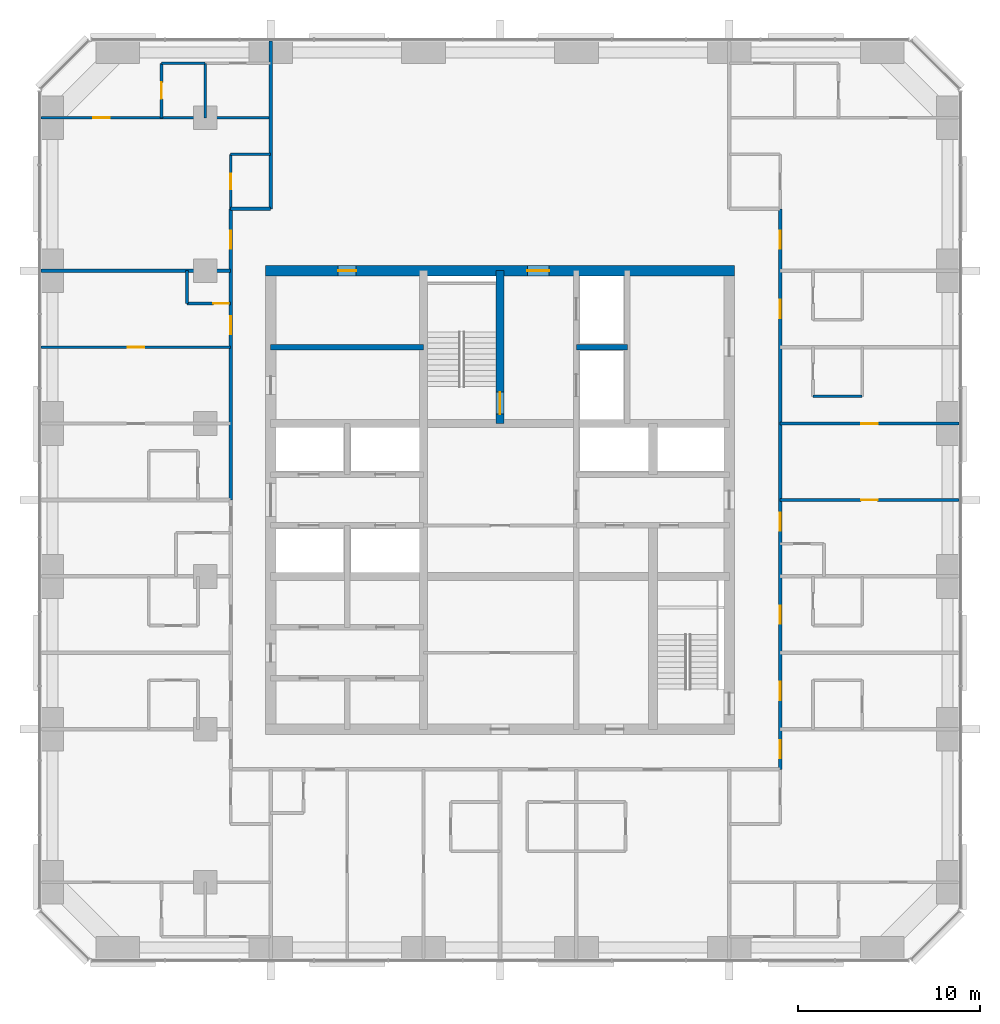
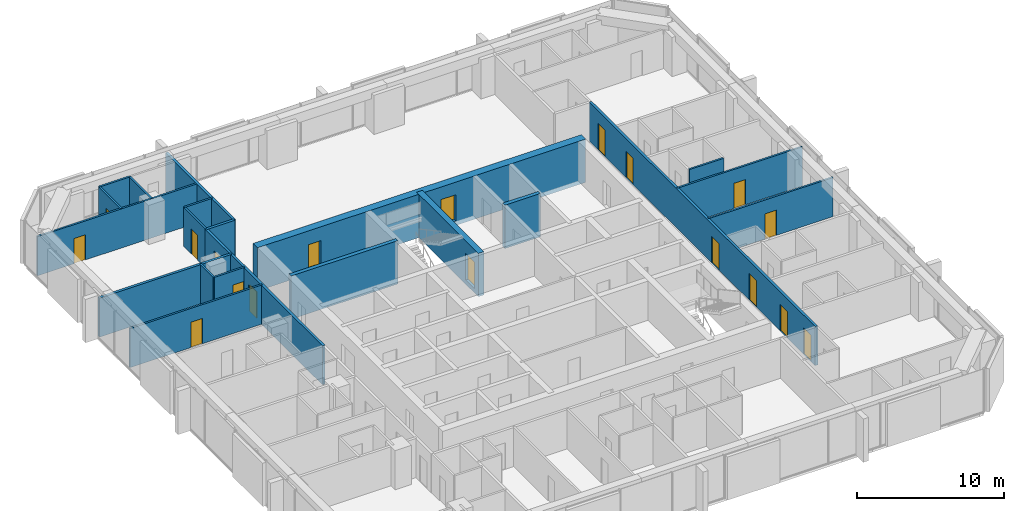
# One storey, part 11 of 13: 21 walls, 18 doors, 18 openings.
"""IFC4 building model written with IfcOpenShell, lengths in metres."""

import ifcopenshell
import ifcopenshell.guid

model = None  # the IFC model being written
_history = None  # IfcOwnerHistory: only IFC2X3 demands one
_inside = {}  # id of a spatial element -> (the spatial element, [elements in it])
_under = {}  # id of a project, library or spatial element -> (it, [spatial elements below it])
_declared = {}  # id of a project -> (the project, [libraries it declares])
_typed = {}  # id of a type object -> (the type object, [elements of that type])
_made_of = {}  # id of a material, layer set ... -> (it, [elements and type objects made of it])


def new_model(schema):
    """Start an empty IFC model of exactly this schema.

    Asked for "IFC4X3", IfcOpenShell would pick the latest addendum, in which some entities
    have other attributes; the version numbers below select the first issue.
    IFC2X3 requires an IfcOwnerHistory on every rooted entity: one is made here for all.
    """
    global model, _history
    if schema == "IFC4X3":
        model = ifcopenshell.file(schema_version=(4, 3, 0, 0))
    else:
        model = ifcopenshell.file(schema=schema)
    _inside.clear()
    _under.clear()
    _declared.clear()
    _typed.clear()
    _made_of.clear()
    _history = None
    if model.schema == "IFC2X3":
        org = make("IfcOrganization", Name="unknown")
        user = make(
            "IfcPersonAndOrganization",
            ThePerson=make("IfcPerson", FamilyName="unknown"),
            TheOrganization=org,
        )
        app = make(
            "IfcApplication",
            ApplicationDeveloper=org,
            Version="unknown",
            ApplicationFullName="unknown",
            ApplicationIdentifier="unknown",
        )
        _history = make(
            "IfcOwnerHistory",
            OwningUser=user,
            OwningApplication=app,
            ChangeAction="ADDED",
            CreationDate=0,
        )
    return model


def make(cls, **values):
    """One entity of the class cls with the attributes given. An attribute that is None is left unset."""
    return model.create_entity(
        cls, **{name: value for name, value in values.items() if value is not None}
    )


def rooted(cls, **values):
    """An entity with a GlobalId (a new one), such as an element, a storey or a relation."""
    return make(cls, GlobalId=ifcopenshell.guid.new(), OwnerHistory=_history, **values)


def si_unit(unit_type, name, prefix=None):
    """IfcSIUnit, for example si_unit("LENGTHUNIT", "METRE", prefix="MILLI")."""
    return make("IfcSIUnit", UnitType=unit_type, Prefix=prefix, Name=name)


def assignment(units):
    """IfcUnitAssignment: the units of a project."""
    return None if units is None else make("IfcUnitAssignment", Units=units)


def point(xyz):
    """IfcCartesianPoint."""
    return None if xyz is None else make("IfcCartesianPoint", Coordinates=xyz)


def direction(xyz):
    """IfcDirection."""
    return None if xyz is None else make("IfcDirection", DirectionRatios=xyz)


def frame(location, z_axis=None, x_axis=None):
    """IfcAxis2Placement3D, a coordinate frame: its origin and axes. An axis left out is left unset."""
    return make(
        "IfcAxis2Placement3D",
        Location=point(location),
        Axis=direction(z_axis),
        RefDirection=direction(x_axis),
    )


def frame_2d(location, x_axis=None):
    """IfcAxis2Placement2D, a coordinate frame in the plane: its origin and x axis."""
    return make(
        "IfcAxis2Placement2D", Location=point(location), RefDirection=direction(x_axis)
    )


def origin():
    """The frame at (0, 0, 0) with its axes left unset."""
    return frame((0.0, 0.0, 0.0))


def place(relative_to, where):
    """IfcLocalPlacement: puts the frame where relative to a parent placement (None: the world)."""
    return make(
        "IfcLocalPlacement", PlacementRelTo=relative_to, RelativePlacement=where
    )


def context(
    kind, dimensions, precision=None, world=None, true_north=None, identifier=None
):
    """IfcGeometricRepresentationContext, for example the 3D "Model" context."""
    return make(
        "IfcGeometricRepresentationContext",
        ContextIdentifier=identifier,
        ContextType=kind,
        CoordinateSpaceDimension=dimensions,
        Precision=precision,
        WorldCoordinateSystem=world,
        TrueNorth=true_north,
    )


def subcontext(parent, identifier, kind, view, scale=None):
    """IfcGeometricRepresentationSubContext, for example "Body" below "Model"."""
    return make(
        "IfcGeometricRepresentationSubContext",
        ContextIdentifier=identifier,
        ContextType=kind,
        ParentContext=parent,
        TargetScale=scale,
        TargetView=view,
    )


def project(units=None, contexts=None):
    """IfcProject with its units and contexts."""
    return rooted(
        "IfcProject",
        Name="project",
        RepresentationContexts=contexts,
        UnitsInContext=assignment(units),
    )


def spatial(cls, under=None, at=None, **own):
    """A site, building, storey or space (cls), placed at a placement, below another one or the project."""
    s = rooted(cls, ObjectPlacement=at, **own)
    if under is not None:
        _under.setdefault(under.id(), (under, []))[1].append(s)
    return s


def profile(cls, at=None, kind="AREA", **sizes):
    """A parametric profile (cls). Its sizes go by their IFC names, for example OverallWidth=200.0."""
    return make(cls, ProfileType=kind, Position=at, **sizes)


def rectangle(**sizes):
    """IfcRectangleProfileDef."""
    return profile("IfcRectangleProfileDef", **sizes)


def extrude(swept, where, along, depth):
    """IfcExtrudedAreaSolid: the profile swept, set in the frame where, extruded along a direction by depth."""
    return make(
        "IfcExtrudedAreaSolid",
        SweptArea=swept,
        Position=where,
        ExtrudedDirection=direction(along),
        Depth=depth,
    )


def shape(context_of_items, identifier, shape_type, items):
    """IfcShapeRepresentation: the items that make up one representation, for example the "Body"."""
    return make(
        "IfcShapeRepresentation",
        ContextOfItems=context_of_items,
        RepresentationIdentifier=identifier,
        RepresentationType=shape_type,
        Items=items,
    )


def material(Name=None, Category=None):
    """IfcMaterial."""
    return make("IfcMaterial", Name=Name, Category=Category)


def layer(
    of_material, thickness, ventilated=None, Name=None, Category=None, Priority=None
):
    """IfcMaterialLayer: one layer of a wall or slab, of a material (None: an air gap)."""
    return make(
        "IfcMaterialLayer",
        Material=of_material,
        LayerThickness=thickness,
        IsVentilated=ventilated,
        Name=Name,
        Category=Category,
        Priority=Priority,
    )


def layer_set(layers, Name=None):
    """IfcMaterialLayerSet."""
    return make("IfcMaterialLayerSet", MaterialLayers=layers, LayerSetName=Name)


def made_of(thing, what):
    """Note that an element or type object is made of a material, layer set ...; save() writes the relation."""
    if what is not None:
        _made_of.setdefault(what.id(), (what, []))[1].append(thing)
    return thing


def type_object(cls, material=None, **own):
    """A type object (cls), such as IfcWallType, which elements share."""
    return made_of(rooted(cls, **own), material)


def element(
    cls,
    number,
    at=None,
    inside=None,
    cuts=None,
    type_object=None,
    material=None,
    context=None,
    identifier="Body",
    shape_type=None,
    held_by="IfcProductDefinitionShape",
    body=None,
    shapes=None,
    **own,
):
    """One element of the class cls, such as IfcWall. Its Tag is "e" and its number.

    at: its placement. inside: the storey or other place that contains it. cuts: it is an
    opening in that element (IfcRelVoidsElement). A single representation is given by context,
    identifier, shape_type and body (its items); several are given by shapes. held_by: the class
    of the entity that holds the representations. save() writes the other relations.
    """
    e = rooted(cls, Tag="e%d" % number, ObjectPlacement=at, **own)
    if body is not None:
        shapes = [shape(context, identifier, shape_type, body)]
    if shapes is not None:
        e.Representation = make(held_by, Representations=shapes)
    if inside is not None:
        _inside.setdefault(inside.id(), (inside, []))[1].append(e)
    if cuts is not None:
        rooted(
            "IfcRelVoidsElement", RelatingBuildingElement=cuts, RelatedOpeningElement=e
        )
    if type_object is not None:
        _typed.setdefault(type_object.id(), (type_object, []))[1].append(e)
    return made_of(e, material)


def fill(opening, filler):
    """IfcRelFillsElement: the door or window that sits in an opening."""
    return rooted(
        "IfcRelFillsElement",
        RelatingOpeningElement=opening,
        RelatedBuildingElement=filler,
    )


def aggregate(whole, parts):
    """IfcRelAggregates: a whole, such as a stair, and the parts it consists of."""
    return rooted("IfcRelAggregates", RelatingObject=whole, RelatedObjects=parts)


def save(model, path):
    """Write the relations noted so far, then the file.

    IfcRelAggregates (storeys below a building ...), IfcRelContainedInSpatialStructure (elements
    in a storey), IfcRelDefinesByType, IfcRelAssociatesMaterial and IfcRelDeclares: one each for
    every whole, place, type object, material and project.
    """
    for whole, parts in _under.values():
        aggregate(whole, parts)
    for where, things in _inside.values():
        rooted(
            "IfcRelContainedInSpatialStructure",
            RelatedElements=things,
            RelatingStructure=where,
        )
    for kind, things in _typed.values():
        rooted("IfcRelDefinesByType", RelatedObjects=things, RelatingType=kind)
    for what, things in _made_of.values():
        rooted("IfcRelAssociatesMaterial", RelatedObjects=things, RelatingMaterial=what)
    for by, libraries in _declared.values():
        rooted("IfcRelDeclares", RelatingContext=by, RelatedDefinitions=libraries)
    model.write(path)


model = new_model("IFC4")

# Units and contexts
model_context = context("Model", 3, precision=1e-05, world=origin(), true_north=direction((0.0, 1.0)))
body_context = subcontext(model_context, "Body", "Model", "MODEL_VIEW")
ifc_project = project(units=[si_unit("LENGTHUNIT", "METRE"), si_unit("AREAUNIT", "SQUARE_METRE"), si_unit("VOLUMEUNIT", "CUBIC_METRE"), si_unit("PLANEANGLEUNIT", "RADIAN"), si_unit("MASSUNIT", "GRAM", prefix="KILO")], contexts=[model_context])

# Site, building, storey
site_placement = place(None, origin())
site = spatial("IfcSite", under=ifc_project, at=site_placement, CompositionType="ELEMENT")
building_placement = place(site_placement, origin())
building = spatial("IfcBuilding", under=site, at=building_placement, Name="Dunama Terrace Hotel", CompositionType="ELEMENT")
storey_placement = place(building_placement, frame((0.0, 0.0, 205.800048828125)))
storey = spatial("IfcBuildingStorey", under=building, at=storey_placement, Name="L53", CompositionType="ELEMENT", Elevation=205.800048828125)

# Wall
ifc_material_1 = material(Name="Gypsum board partition", Category="masonry")
ifc_layer_1 = layer(ifc_material_1, 0.14990234375)
ifc_layer_set_1 = layer_set([ifc_layer_1], Name="Bathroom partition 150")
wall_type_1 = type_object("IfcWallType", Name="Bathroom partition 150", PredefinedType="PARTITIONING", material=ifc_layer_set_1)
wall_1_placement = place(storey_placement, frame((12.199951171875, 40.199951171875, 0.0), z_axis=(0.0, 0.0, 1.0), x_axis=(0.0, 1.0, 0.0)))
element("IfcWall", 1, at=wall_1_placement, inside=storey, type_object=wall_type_1, Name="Bathroom partition 150 L53", PredefinedType="PARTITIONING", context=body_context, shape_type="SweptSolid", body=[
    extrude(rectangle(XDim=1.800048828125, YDim=0.14990234375, at=frame_2d((0.89990234375, 0.0))), origin(), (0.0, 0.0, 1.0), 3.25),
])

# Wall, opening, door
wall_2_placement = place(storey_placement, frame((14.60009765625, 45.39990234375, 0.0), z_axis=(0.0, 0.0, 1.0), x_axis=(0.0, 1.0, 0.0)))
wall_2 = element("IfcWall", 2, at=wall_2_placement, inside=storey, type_object=wall_type_1, Name="Bathroom partition 150 L53", PredefinedType="PARTITIONING", context=body_context, shape_type="SweptSolid", body=[
    extrude(rectangle(XDim=3.0, YDim=0.14990234375, at=frame_2d((1.5, 0.0))), origin(), (0.0, 0.0, 1.0), 3.25),
])
opening_1_placement = place(wall_2_placement, frame((1.074951171875, 0.0, 0.0)))
opening_1 = element("IfcOpeningElement", 3, at=opening_1_placement, cuts=wall_2, Name="Opening L53-54-056", PredefinedType="OPENING", context=body_context, shape_type="SweptSolid", body=[
    extrude(rectangle(XDim=0.85009765625, YDim=2.10009765625, at=frame_2d((0.425048828125, 1.050048828125))), frame((0.0, 0.0849609375, 0.0), z_axis=(0.0, -1.0, 0.0), x_axis=(1.0, 0.0, 0.0)), (0.0, 0.0, 1.0), 0.169921875),
])
ifc_material_2 = material(Name="Timber door with steel frame", Category="steel")
door_type_1 = type_object("IfcDoorType", Name="Bathroom door 850", OperationType="SINGLE_SWING_LEFT", PredefinedType="DOOR", material=ifc_material_2)
door_1_placement = place(opening_1_placement, frame((0.85009765625, 0.0, 0.0), z_axis=(0.0, 0.0, 1.0), x_axis=(-1.0, 0.0, 0.0)))
door_1 = element("IfcDoor", 4, at=door_1_placement, inside=storey, type_object=door_type_1, Name="Door to powder room L53-54-056, type D2", OperationType="SINGLE_SWING_RIGHT", OverallHeight=2.10009765625, OverallWidth=0.85009765625, PredefinedType="DOOR", context=body_context, shape_type="SweptSolid", body=[
    extrude(rectangle(XDim=0.85009765625, YDim=2.10009765625, at=frame_2d((0.425048828125, 1.050048828125))), frame((0.0, 0.025146484375, 0.0), z_axis=(0.0, -1.0, 0.0), x_axis=(1.0, 0.0, 0.0)), (0.0, 0.0, 1.0), 0.050048828125),
])
fill(opening_1, door_1)

# Wall
wall_3_placement = place(storey_placement, frame((46.60009765625, 35.10009765625, 0.0), z_axis=(0.0, 0.0, 1.0), x_axis=(1.0, 0.0, 0.0)))
element("IfcWall", 5, at=wall_3_placement, inside=storey, type_object=wall_type_1, Name="Bathroom partition 150 L53", PredefinedType="PARTITIONING", context=body_context, shape_type="SweptSolid", body=[
    extrude(rectangle(XDim=2.699951171875, YDim=0.14990234375, at=frame_2d((1.35009765625, 0.0))), origin(), (0.0, 0.0, 1.0), 3.25),
])

# Wall, opening, door
wall_4_placement = place(storey_placement, frame((12.199951171875, 40.199951171875, 0.0), z_axis=(0.0, 0.0, 1.0), x_axis=(1.0, 0.0, 0.0)))
wall_4 = element("IfcWall", 6, at=wall_4_placement, inside=storey, type_object=wall_type_1, Name="Bathroom partition 150 L53", PredefinedType="PARTITIONING", context=body_context, shape_type="SweptSolid", body=[
    extrude(rectangle(XDim=2.400146484375, YDim=0.14990234375, at=frame_2d((1.2001953125, 0.0))), origin(), (0.0, 0.0, 1.0), 3.25),
])
opening_2_placement = place(wall_4_placement, frame((1.449951171875, 0.0, 0.0)))
opening_2 = element("IfcOpeningElement", 7, at=opening_2_placement, cuts=wall_4, Name="Opening L53-54-036", PredefinedType="OPENING", context=body_context, shape_type="SweptSolid", body=[
    extrude(rectangle(XDim=0.85009765625, YDim=2.10009765625, at=frame_2d((0.425048828125, 1.050048828125))), frame((0.0, 0.0849609375, 0.0), z_axis=(0.0, -1.0, 0.0), x_axis=(1.0, 0.0, 0.0)), (0.0, 0.0, 1.0), 0.169921875),
])
door_2_placement = place(opening_2_placement, origin())
door_2 = element("IfcDoor", 8, at=door_2_placement, inside=storey, type_object=door_type_1, Name="Door to powder room L53-54-036, type D2", OperationType="SINGLE_SWING_RIGHT", OverallHeight=2.10009765625, OverallWidth=0.85009765625, PredefinedType="DOOR", context=body_context, shape_type="SweptSolid", body=[
    extrude(rectangle(XDim=0.85009765625, YDim=2.10009765625, at=frame_2d((0.425048828125, 1.050048828125))), frame((0.0, 0.02490234375, 0.0), z_axis=(0.0, -1.0, 0.0), x_axis=(1.0, 0.0, 0.0)), (0.0, 0.0, 1.0), 0.050048828125),
])
fill(opening_2, door_2)

# Walls
wall_5_placement = place(storey_placement, frame((14.60009765625, 48.39990234375, 0.0), z_axis=(0.0, 0.0, 1.0), x_axis=(1.0, 0.0, 0.0)))
element("IfcWall", 9, at=wall_5_placement, inside=storey, type_object=wall_type_1, Name="Bathroom partition 150 L53", PredefinedType="PARTITIONING", context=body_context, shape_type="SweptSolid", body=[
    extrude(rectangle(XDim=2.199951171875, YDim=0.14990234375, at=frame_2d((1.10009765625, 0.0))), origin(), (0.0, 0.0, 1.0), 3.25),
])
ifc_material_3 = material(Name="Concrete C50/60", Category="concrete")
ifc_layer_2 = layer(ifc_material_3, 0.300048828125)
ifc_layer_set_2 = layer_set([ifc_layer_2], Name="Core inner wall 300")
wall_type_2 = type_object("IfcWallType", Name="Core inner wall 300", PredefinedType="SHEAR", material=ifc_layer_set_2)
wall_6_placement = place(storey_placement, frame((16.800048828125, 37.800048828125, -0.35009765625), z_axis=(0.0, 0.0, 1.0), x_axis=(1.0, 0.0, 0.0)))
element("IfcWall", 10, at=wall_6_placement, inside=storey, type_object=wall_type_2, Name="Core inner wall 300 L53", PredefinedType="SHEAR", context=body_context, shape_type="SweptSolid", body=[
    extrude(rectangle(XDim=8.39990234375, YDim=0.300048828125, at=frame_2d((4.199951171875, 0.0))), origin(), (0.0, 0.0, 1.0), 3.60009765625),
])
wall_7_placement = place(storey_placement, frame((33.60009765625, 37.800048828125, -0.35009765625), z_axis=(0.0, 0.0, 1.0), x_axis=(1.0, 0.0, 0.0)))
element("IfcWall", 11, at=wall_7_placement, inside=storey, type_object=wall_type_2, Name="Core inner wall 300 L53", PredefinedType="SHEAR", context=body_context, shape_type="SweptSolid", body=[
    extrude(rectangle(XDim=2.7998046875, YDim=0.300048828125, at=frame_2d((1.39990234375, 0.0))), origin(), (0.0, 0.0, 1.0), 3.60009765625),
])

# Wall, opening, door
ifc_material_4 = material(Name="Concrete C50/60", Category="concrete")
ifc_layer_3 = layer(ifc_material_4, 0.449951171875)
ifc_layer_set_3 = layer_set([ifc_layer_3], Name="Core inner wall 450")
wall_type_3 = type_object("IfcWallType", Name="Core inner wall 450", PredefinedType="SHEAR", material=ifc_layer_set_3)
wall_8_placement = place(storey_placement, frame((29.39990234375, 33.60009765625, -0.35009765625), z_axis=(0.0, 0.0, 1.0), x_axis=(0.0, 1.0, 0.0)))
wall_8 = element("IfcWall", 12, at=wall_8_placement, inside=storey, type_object=wall_type_3, Name="Core inner wall 450 L53", PredefinedType="SHEAR", context=body_context, shape_type="SweptSolid", body=[
    extrude(rectangle(XDim=8.39990234375, YDim=0.449951171875, at=frame_2d((4.199951171875, 0.0))), origin(), (0.0, 0.0, 1.0), 3.60009765625),
])
opening_3_placement = place(wall_8_placement, frame((0.52490234375, 0.0, 0.35009765625)))
opening_3 = element("IfcOpeningElement", 13, at=opening_3_placement, cuts=wall_8, Name="Opening L53-54-001", PredefinedType="OPENING", context=body_context, shape_type="SweptSolid", body=[
    extrude(rectangle(XDim=1.199951171875, YDim=2.199951171875, at=frame_2d((0.60009765625, 1.10009765625))), frame((0.0, 0.23486328125, 0.0), z_axis=(0.0, -1.0, 0.0), x_axis=(1.0, 0.0, 0.0)), (0.0, 0.0, 1.0), 0.469970703125),
])
ifc_material_5 = material(Name="Timber door with steel frame", Category="steel")
door_type_2 = type_object("IfcDoorType", Name="Stair door 1200", OperationType="SINGLE_SWING_LEFT", PredefinedType="DOOR", material=ifc_material_5)
door_3_placement = place(opening_3_placement, origin())
door_3 = element("IfcDoor", 14, at=door_3_placement, inside=storey, type_object=door_type_2, Name="Stair door ST1 L53-54-001, type D5", OperationType="SINGLE_SWING_LEFT", OverallHeight=2.199951171875, OverallWidth=1.199951171875, PredefinedType="DOOR", context=body_context, shape_type="SweptSolid", body=[
    extrude(rectangle(XDim=1.199951171875, YDim=2.199951171875, at=frame_2d((0.60009765625, 1.10009765625))), frame((0.0, 0.02490234375, 0.0), z_axis=(0.0, -1.0, 0.0), x_axis=(1.0, 0.0, 0.0)), (0.0, 0.0, 1.0), 0.050048828125),
])
fill(opening_3, door_3)

# Wall, openings, doors
ifc_material_6 = material(Name="Concrete C50/60", Category="concrete")
ifc_layer_4 = layer(ifc_material_6, 0.60009765625)
ifc_layer_set_4 = layer_set([ifc_layer_4], Name="Core wall 600")
wall_type_4 = type_object("IfcWallType", Name="Core wall 600", PredefinedType="SHEAR", material=ifc_layer_set_4)
wall_9_placement = place(storey_placement, frame((42.300048828125, 42.0, -0.35009765625), z_axis=(0.0, 0.0, 1.0), x_axis=(-1.0, 0.0, 0.0)))
wall_9 = element("IfcWall", 15, at=wall_9_placement, inside=storey, type_object=wall_type_4, Name="Core wall north L53", PredefinedType="SHEAR", context=body_context, shape_type="SweptSolid", body=[
    extrude(rectangle(XDim=25.800048828125, YDim=0.60009765625, at=frame_2d((12.89990234375, 0.0))), origin(), (0.0, 0.0, 1.0), 3.60009765625),
])
opening_4_placement = place(wall_9_placement, frame((20.800048828125, 0.0, 0.35009765625)))
opening_4 = element("IfcOpeningElement", 16, at=opening_4_placement, cuts=wall_9, Name="Opening L53-54-067", PredefinedType="OPENING", context=body_context, shape_type="SweptSolid", body=[
    extrude(rectangle(XDim=1.0, YDim=2.10009765625, at=frame_2d((0.5, 1.050048828125))), frame((0.0, 0.31005859375, 0.0), z_axis=(0.0, -1.0, 0.0), x_axis=(1.0, 0.0, 0.0)), (0.0, 0.0, 1.0), 0.6201171875),
])
opening_5_placement = place(wall_9_placement, frame((10.199951171875, 0.0, 0.35009765625)))
opening_5 = element("IfcOpeningElement", 17, at=opening_5_placement, cuts=wall_9, Name="Opening L53-54-073", PredefinedType="OPENING", context=body_context, shape_type="SweptSolid", body=[
    extrude(rectangle(XDim=1.199951171875, YDim=2.199951171875, at=frame_2d((0.60009765625, 1.10009765625))), frame((0.0, 0.31005859375, 0.0), z_axis=(0.0, -1.0, 0.0), x_axis=(1.0, 0.0, 0.0)), (0.0, 0.0, 1.0), 0.6201171875),
])
ifc_material_7 = material(Name="Timber door with steel frame", Category="steel")
door_type_3 = type_object("IfcDoorType", Name="Firefighting lobby door 1200", OperationType="SINGLE_SWING_LEFT", PredefinedType="DOOR", material=ifc_material_7)
door_4_placement = place(opening_5_placement, origin())
door_4 = element("IfcDoor", 18, at=door_4_placement, inside=storey, type_object=door_type_3, Name="Door to firefighting lobby L53-54-073, type D4", OperationType="SINGLE_SWING_RIGHT", OverallHeight=2.199951171875, OverallWidth=1.199951171875, PredefinedType="DOOR", context=body_context, shape_type="SweptSolid", body=[
    extrude(rectangle(XDim=1.199951171875, YDim=2.199951171875, at=frame_2d((0.60009765625, 1.10009765625))), frame((0.0, 0.02490234375, 0.0), z_axis=(0.0, -1.0, 0.0), x_axis=(1.0, 0.0, 0.0)), (0.0, 0.0, 1.0), 0.050048828125),
])
fill(opening_5, door_4)
ifc_material_8 = material(Name="Timber door with steel frame", Category="steel")
door_type_4 = type_object("IfcDoorType", Name="Service door 1000", OperationType="SINGLE_SWING_LEFT", PredefinedType="DOOR", material=ifc_material_8)
door_5_placement = place(opening_4_placement, origin())
door_5 = element("IfcDoor", 19, at=door_5_placement, inside=storey, type_object=door_type_4, Name="Door to communications and riser room L53-54-067, type D7", OperationType="SINGLE_SWING_LEFT", OverallHeight=2.10009765625, OverallWidth=1.0, PredefinedType="DOOR", context=body_context, shape_type="SweptSolid", body=[
    extrude(rectangle(XDim=1.0, YDim=2.10009765625, at=frame_2d((0.5, 1.050048828125))), frame((0.0, 0.02490234375, 0.0), z_axis=(0.0, -1.0, 0.0), x_axis=(1.0, 0.0, 0.0)), (0.0, 0.0, 1.0), 0.050048828125),
])
fill(opening_4, door_5)

ifc_material_9 = material(Name="Concrete blockwork", Category="masonry")
ifc_layer_5 = layer(ifc_material_9, 0.199951171875)
ifc_layer_set_5 = layer_set([ifc_layer_5], Name="Corridor partition 200")
wall_type_5 = type_object("IfcWallType", Name="Corridor partition 200", PredefinedType="PARTITIONING", material=ifc_layer_set_5)
wall_10_placement = place(storey_placement, frame((14.60009765625, 29.39990234375, 0.0), z_axis=(0.0, 0.0, 1.0), x_axis=(0.0, 1.0, 0.0)))
wall_10 = element("IfcWall", 20, at=wall_10_placement, inside=storey, type_object=wall_type_5, Name="Corridor partition 200 L53", PredefinedType="PARTITIONING", context=body_context, shape_type="SweptSolid", body=[
    extrude(rectangle(XDim=16.0, YDim=0.199951171875, at=frame_2d((8.0, 0.0))), origin(), (0.0, 0.0, 1.0), 3.25),
])
opening_6_placement = place(wall_10_placement, frame((9.10009765625, 0.0, 0.0)))
opening_6 = element("IfcOpeningElement", 21, at=opening_6_placement, cuts=wall_10, Name="Opening L53-54-035", PredefinedType="OPENING", context=body_context, shape_type="SweptSolid", body=[
    extrude(rectangle(XDim=1.0, YDim=2.199951171875, at=frame_2d((0.5, 1.10009765625))), frame((0.0, 0.10986328125, 0.0), z_axis=(0.0, -1.0, 0.0), x_axis=(1.0, 0.0, 0.0)), (0.0, 0.0, 1.0), 0.219970703125),
])
opening_7_placement = place(wall_10_placement, frame((13.800048828125, 0.0, 0.0)))
opening_7 = element("IfcOpeningElement", 22, at=opening_7_placement, cuts=wall_10, Name="Opening L53-54-055", PredefinedType="OPENING", context=body_context, shape_type="SweptSolid", body=[
    extrude(rectangle(XDim=1.0, YDim=2.199951171875, at=frame_2d((0.5, 1.10009765625))), frame((0.0, 0.10986328125, 0.0), z_axis=(0.0, -1.0, 0.0), x_axis=(1.0, 0.0, 0.0)), (0.0, 0.0, 1.0), 0.219970703125),
])
ifc_material_10 = material(Name="Timber door with steel frame", Category="steel")
door_type_5 = type_object("IfcDoorType", Name="Guest room door 1000", OperationType="SINGLE_SWING_LEFT", PredefinedType="DOOR", material=ifc_material_10)
door_6_placement = place(opening_6_placement, origin())
door_6 = element("IfcDoor", 23, at=door_6_placement, inside=storey, type_object=door_type_5, Name="Door to ambassador suite living room L53-54-035, type D1", OperationType="SINGLE_SWING_LEFT", OverallHeight=2.199951171875, OverallWidth=1.0, PredefinedType="DOOR", context=body_context, shape_type="SweptSolid", body=[
    extrude(rectangle(XDim=1.0, YDim=2.199951171875, at=frame_2d((0.5, 1.10009765625))), frame((0.0, 0.02490234375, 0.0), z_axis=(0.0, -1.0, 0.0), x_axis=(1.0, 0.0, 0.0)), (0.0, 0.0, 1.0), 0.050048828125),
])
fill(opening_6, door_6)
door_7_placement = place(opening_7_placement, origin())
door_7 = element("IfcDoor", 24, at=door_7_placement, inside=storey, type_object=door_type_5, Name="Door to corner suite living room L53-54-055, type D1", OperationType="SINGLE_SWING_LEFT", OverallHeight=2.199951171875, OverallWidth=1.0, PredefinedType="DOOR", context=body_context, shape_type="SweptSolid", body=[
    extrude(rectangle(XDim=1.0, YDim=2.199951171875, at=frame_2d((0.5, 1.10009765625))), frame((0.0, 0.02490234375, 0.0), z_axis=(0.0, -1.0, 0.0), x_axis=(1.0, 0.0, 0.0)), (0.0, 0.0, 1.0), 0.050048828125),
])
fill(opening_7, door_7)

# Walls
wall_11_placement = place(storey_placement, frame((16.800048828125, 45.39990234375, 0.0), z_axis=(0.0, 0.0, 1.0), x_axis=(0.0, 1.0, 0.0)))
element("IfcWall", 25, at=wall_11_placement, inside=storey, type_object=wall_type_5, Name="Corridor partition 200 L53", PredefinedType="PARTITIONING", context=body_context, shape_type="SweptSolid", body=[
    extrude(rectangle(XDim=9.218017578125, YDim=0.199951171875, at=frame_2d((4.60888671875, 0.0))), origin(), (0.0, 0.0, 1.0), 3.25),
])
wall_12_placement = place(storey_placement, frame((14.60009765625, 45.39990234375, 0.0), z_axis=(0.0, 0.0, 1.0), x_axis=(1.0, 0.0, 0.0)))
element("IfcWall", 26, at=wall_12_placement, inside=storey, type_object=wall_type_5, Name="Corridor partition 200 L53", PredefinedType="PARTITIONING", context=body_context, shape_type="SweptSolid", body=[
    extrude(rectangle(XDim=2.199951171875, YDim=0.199951171875, at=frame_2d((1.10009765625, 0.0))), origin(), (0.0, 0.0, 1.0), 3.25),
])

# Wall, openings, doors
wall_13_placement = place(storey_placement, frame((44.800048828125, 45.39990234375, 0.0), z_axis=(0.0, 0.0, 1.0), x_axis=(0.0, -1.0, 0.0)))
wall_13 = element("IfcWall", 27, at=wall_13_placement, inside=storey, type_object=wall_type_5, Name="Corridor partition 200 L53", PredefinedType="PARTITIONING", context=body_context, shape_type="SweptSolid", body=[
    extrude(rectangle(XDim=30.7998046875, YDim=0.199951171875, at=frame_2d((15.39990234375, 0.0))), origin(), (0.0, 0.0, 1.0), 3.25),
])
opening_8_placement = place(wall_13_placement, frame((26.0, 0.0, 0.0)))
opening_8 = element("IfcOpeningElement", 28, at=opening_8_placement, cuts=wall_13, Name="Opening L53-54-018", PredefinedType="OPENING", context=body_context, shape_type="SweptSolid", body=[
    extrude(rectangle(XDim=1.0, YDim=2.199951171875, at=frame_2d((0.5, 1.10009765625))), frame((0.0, 0.10986328125, 0.0), z_axis=(0.0, -1.0, 0.0), x_axis=(1.0, 0.0, 0.0)), (0.0, 0.0, 1.0), 0.219970703125),
])
opening_9_placement = place(wall_13_placement, frame((21.800048828125, 0.0, 0.0)))
opening_9 = element("IfcOpeningElement", 29, at=opening_9_placement, cuts=wall_13, Name="Opening L53-54-020", PredefinedType="OPENING", context=body_context, shape_type="SweptSolid", body=[
    extrude(rectangle(XDim=1.0, YDim=2.199951171875, at=frame_2d((0.5, 1.10009765625))), frame((0.0, 0.10986328125, 0.0), z_axis=(0.0, -1.0, 0.0), x_axis=(1.0, 0.0, 0.0)), (0.0, 0.0, 1.0), 0.219970703125),
])
opening_10_placement = place(wall_13_placement, frame((16.699951171875, 0.0, 0.0)))
opening_10 = element("IfcOpeningElement", 30, at=opening_10_placement, cuts=wall_13, Name="Opening L53-54-022", PredefinedType="OPENING", context=body_context, shape_type="SweptSolid", body=[
    extrude(rectangle(XDim=1.0, YDim=2.199951171875, at=frame_2d((0.5, 1.10009765625))), frame((0.0, 0.10986328125, 0.0), z_axis=(0.0, -1.0, 0.0), x_axis=(1.0, 0.0, 0.0)), (0.0, 0.0, 1.0), 0.219970703125),
])
opening_11_placement = place(wall_13_placement, frame((5.0, 0.0, 0.0)))
opening_11 = element("IfcOpeningElement", 31, at=opening_11_placement, cuts=wall_13, Name="Opening L53-54-027", PredefinedType="OPENING", context=body_context, shape_type="SweptSolid", body=[
    extrude(rectangle(XDim=1.0, YDim=2.199951171875, at=frame_2d((0.5, 1.10009765625))), frame((0.0, 0.10986328125, 0.0), z_axis=(0.0, -1.0, 0.0), x_axis=(1.0, 0.0, 0.0)), (0.0, 0.0, 1.0), 0.219970703125),
])
opening_12_placement = place(wall_13_placement, frame((29.199951171875, 0.0, 0.0)))
opening_12 = element("IfcOpeningElement", 32, at=opening_12_placement, cuts=wall_13, Name="Opening L53-54-045", PredefinedType="OPENING", context=body_context, shape_type="SweptSolid", body=[
    extrude(rectangle(XDim=1.0, YDim=2.199951171875, at=frame_2d((0.5, 1.10009765625))), frame((0.0, 0.10986328125, 0.0), z_axis=(0.0, -1.0, 0.0), x_axis=(1.0, 0.0, 0.0)), (0.0, 0.0, 1.0), 0.219970703125),
])
opening_13_placement = place(wall_13_placement, frame((1.199951171875, 0.0, 0.0)))
opening_13 = element("IfcOpeningElement", 33, at=opening_13_placement, cuts=wall_13, Name="Opening L53-54-050", PredefinedType="OPENING", context=body_context, shape_type="SweptSolid", body=[
    extrude(rectangle(XDim=1.0, YDim=2.199951171875, at=frame_2d((0.5, 1.10009765625))), frame((0.0, 0.10986328125, 0.0), z_axis=(0.0, -1.0, 0.0), x_axis=(1.0, 0.0, 0.0)), (0.0, 0.0, 1.0), 0.219970703125),
])
door_8_placement = place(opening_8_placement, origin())
door_8 = element("IfcDoor", 34, at=door_8_placement, inside=storey, type_object=door_type_5, Name="Door to club room L53-54-018, type D1", OperationType="SINGLE_SWING_LEFT", OverallHeight=2.199951171875, OverallWidth=1.0, PredefinedType="DOOR", context=body_context, shape_type="SweptSolid", body=[
    extrude(rectangle(XDim=1.0, YDim=2.199951171875, at=frame_2d((0.5, 1.10009765625))), frame((0.0, 0.02490234375, 0.0), z_axis=(0.0, -1.0, 0.0), x_axis=(1.0, 0.0, 0.0)), (0.0, 0.0, 1.0), 0.050048828125),
])
fill(opening_8, door_8)
door_9_placement = place(opening_9_placement, origin())
door_9 = element("IfcDoor", 35, at=door_9_placement, inside=storey, type_object=door_type_5, Name="Door to club room L53-54-020, type D1", OperationType="SINGLE_SWING_LEFT", OverallHeight=2.199951171875, OverallWidth=1.0, PredefinedType="DOOR", context=body_context, shape_type="SweptSolid", body=[
    extrude(rectangle(XDim=1.0, YDim=2.199951171875, at=frame_2d((0.5, 1.10009765625))), frame((0.0, 0.02490234375, 0.0), z_axis=(0.0, -1.0, 0.0), x_axis=(1.0, 0.0, 0.0)), (0.0, 0.0, 1.0), 0.050048828125),
])
fill(opening_9, door_9)
door_10_placement = place(opening_10_placement, origin())
door_10 = element("IfcDoor", 36, at=door_10_placement, inside=storey, type_object=door_type_5, Name="Door to ambassador suite living room L53-54-022, type D1", OperationType="SINGLE_SWING_LEFT", OverallHeight=2.199951171875, OverallWidth=1.0, PredefinedType="DOOR", context=body_context, shape_type="SweptSolid", body=[
    extrude(rectangle(XDim=1.0, YDim=2.199951171875, at=frame_2d((0.5, 1.10009765625))), frame((0.0, 0.02490234375, 0.0), z_axis=(0.0, -1.0, 0.0), x_axis=(1.0, 0.0, 0.0)), (0.0, 0.0, 1.0), 0.050048828125),
])
fill(opening_10, door_10)
door_11_placement = place(opening_11_placement, origin())
door_11 = element("IfcDoor", 37, at=door_11_placement, inside=storey, type_object=door_type_5, Name="Door to club room L53-54-027, type D1", OperationType="SINGLE_SWING_LEFT", OverallHeight=2.199951171875, OverallWidth=1.0, PredefinedType="DOOR", context=body_context, shape_type="SweptSolid", body=[
    extrude(rectangle(XDim=1.0, YDim=2.199951171875, at=frame_2d((0.5, 1.10009765625))), frame((0.0, 0.02490234375, 0.0), z_axis=(0.0, -1.0, 0.0), x_axis=(1.0, 0.0, 0.0)), (0.0, 0.0, 1.0), 0.050048828125),
])
fill(opening_11, door_11)
door_12_placement = place(opening_12_placement, origin())
door_12 = element("IfcDoor", 38, at=door_12_placement, inside=storey, type_object=door_type_5, Name="Door to corner suite living room L53-54-045, type D1", OperationType="SINGLE_SWING_LEFT", OverallHeight=2.199951171875, OverallWidth=1.0, PredefinedType="DOOR", context=body_context, shape_type="SweptSolid", body=[
    extrude(rectangle(XDim=1.0, YDim=2.199951171875, at=frame_2d((0.5, 1.10009765625))), frame((0.0, 0.02490234375, 0.0), z_axis=(0.0, -1.0, 0.0), x_axis=(1.0, 0.0, 0.0)), (0.0, 0.0, 1.0), 0.050048828125),
])
fill(opening_12, door_12)
door_13_placement = place(opening_13_placement, origin())
door_13 = element("IfcDoor", 39, at=door_13_placement, inside=storey, type_object=door_type_5, Name="Door to corner suite living room L53-54-050, type D1", OperationType="SINGLE_SWING_RIGHT", OverallHeight=2.199951171875, OverallWidth=1.0, PredefinedType="DOOR", context=body_context, shape_type="SweptSolid", body=[
    extrude(rectangle(XDim=1.0, YDim=2.199951171875, at=frame_2d((0.5, 1.10009765625))), frame((0.0, 0.02490234375, 0.0), z_axis=(0.0, -1.0, 0.0), x_axis=(1.0, 0.0, 0.0)), (0.0, 0.0, 1.0), 0.050048828125),
])
fill(opening_13, door_13)

# Wall
ifc_material_11 = material(Name="Concrete blockwork", Category="masonry")
ifc_layer_6 = layer(ifc_material_11, 0.199951171875)
ifc_layer_set_6 = layer_set([ifc_layer_6], Name="Party wall 200")
wall_type_6 = type_object("IfcWallType", Name="Party wall 200", PredefinedType="PARTITIONING", material=ifc_layer_set_6)
wall_14_placement = place(storey_placement, frame((4.181884765625, 42.0, 0.0), z_axis=(0.0, 0.0, 1.0), x_axis=(1.0, 0.0, 0.0)))
element("IfcWall", 40, at=wall_14_placement, inside=storey, type_object=wall_type_6, Name="Party wall 200 L53", PredefinedType="PARTITIONING", context=body_context, shape_type="SweptSolid", body=[
    extrude(rectangle(XDim=10.418212890625, YDim=0.199951171875, at=frame_2d((5.208984375, 0.0))), origin(), (0.0, 0.0, 1.0), 3.25),
])

# Wall, opening, door
ifc_material_12 = material(Name="Gypsum board partition", Category="masonry")
ifc_layer_7 = layer(ifc_material_12, 0.14990234375)
ifc_layer_set_7 = layer_set([ifc_layer_7], Name="Room partition 150")
wall_type_7 = type_object("IfcWallType", Name="Room partition 150", PredefinedType="PARTITIONING", material=ifc_layer_set_7)
wall_15_placement = place(storey_placement, frame((10.800048828125, 50.39990234375, 0.0), z_axis=(0.0, 0.0, 1.0), x_axis=(0.0, 1.0, 0.0)))
wall_15 = element("IfcWall", 41, at=wall_15_placement, inside=storey, type_object=wall_type_7, Name="Room partition 150 L53", PredefinedType="PARTITIONING", context=body_context, shape_type="SweptSolid", body=[
    extrude(rectangle(XDim=3.0, YDim=0.14990234375, at=frame_2d((1.5, 0.0))), origin(), (0.0, 0.0, 1.0), 3.25),
])
opening_14_placement = place(wall_15_placement, frame((1.050048828125, 0.0, 0.0)))
opening_14 = element("IfcOpeningElement", 42, at=opening_14_placement, cuts=wall_15, Name="Opening L53-54-059", PredefinedType="OPENING", context=body_context, shape_type="SweptSolid", body=[
    extrude(rectangle(XDim=0.89990234375, YDim=2.10009765625, at=frame_2d((0.449951171875, 1.050048828125))), frame((0.0, 0.0849609375, 0.0), z_axis=(0.0, -1.0, 0.0), x_axis=(1.0, 0.0, 0.0)), (0.0, 0.0, 1.0), 0.169921875),
])
ifc_material_13 = material(Name="Timber door with steel frame", Category="steel")
door_type_6 = type_object("IfcDoorType", Name="Suite internal door 900", OperationType="SINGLE_SWING_LEFT", PredefinedType="DOOR", material=ifc_material_13)
door_14_placement = place(opening_14_placement, frame((0.89990234375, 0.0, 0.0), z_axis=(0.0, 0.0, 1.0), x_axis=(-1.0, 0.0, 0.0)))
door_14 = element("IfcDoor", 43, at=door_14_placement, inside=storey, type_object=door_type_6, Name="Door to dressing room L53-54-059, type D16", OperationType="SINGLE_SWING_RIGHT", OverallHeight=2.10009765625, OverallWidth=0.89990234375, PredefinedType="DOOR", context=body_context, shape_type="SweptSolid", body=[
    extrude(rectangle(XDim=0.89990234375, YDim=2.10009765625, at=frame_2d((0.449951171875, 1.050048828125))), frame((0.0, 0.025146484375, 0.0), z_axis=(0.0, -1.0, 0.0), x_axis=(1.0, 0.0, 0.0)), (0.0, 0.0, 1.0), 0.050048828125),
])
fill(opening_14, door_14)

# Wall
wall_16_placement = place(storey_placement, frame((13.199951171875, 50.39990234375, 0.0), z_axis=(0.0, 0.0, 1.0), x_axis=(0.0, 1.0, 0.0)))
element("IfcWall", 44, at=wall_16_placement, inside=storey, type_object=wall_type_7, Name="Room partition 150 L53", PredefinedType="PARTITIONING", context=body_context, shape_type="SweptSolid", body=[
    extrude(rectangle(XDim=3.0, YDim=0.14990234375, at=frame_2d((1.5, 0.0))), origin(), (0.0, 0.0, 1.0), 3.25),
])

# Wall, opening, door
wall_17_placement = place(storey_placement, frame((44.800048828125, 29.39990234375, 0.0), z_axis=(0.0, 0.0, 1.0), x_axis=(1.0, 0.0, 0.0)))
wall_17 = element("IfcWall", 45, at=wall_17_placement, inside=storey, type_object=wall_type_7, Name="Room partition 150 L53", PredefinedType="PARTITIONING", context=body_context, shape_type="SweptSolid", body=[
    extrude(rectangle(XDim=9.81787109375, YDim=0.14990234375, at=frame_2d((4.908935546875, 0.0))), origin(), (0.0, 0.0, 1.0), 3.25),
])
opening_15_placement = place(wall_17_placement, frame((4.449951171875, 0.0, 0.0)))
opening_15 = element("IfcOpeningElement", 46, at=opening_15_placement, cuts=wall_17, Name="Opening L53-54-024", PredefinedType="OPENING", context=body_context, shape_type="SweptSolid", body=[
    extrude(rectangle(XDim=0.89990234375, YDim=2.10009765625, at=frame_2d((0.449951171875, 1.050048828125))), frame((0.0, 0.0849609375, 0.0), z_axis=(0.0, -1.0, 0.0), x_axis=(1.0, 0.0, 0.0)), (0.0, 0.0, 1.0), 0.169921875),
])
door_15_placement = place(opening_15_placement, frame((0.89990234375, 0.0, 0.0), z_axis=(0.0, 0.0, 1.0), x_axis=(-1.0, 0.0, 0.0)))
door_15 = element("IfcDoor", 47, at=door_15_placement, inside=storey, type_object=door_type_6, Name="Door to ambassador suite study L53-54-024, type D16", OperationType="SINGLE_SWING_RIGHT", OverallHeight=2.10009765625, OverallWidth=0.89990234375, PredefinedType="DOOR", context=body_context, shape_type="SweptSolid", body=[
    extrude(rectangle(XDim=0.89990234375, YDim=2.10009765625, at=frame_2d((0.449951171875, 1.050048828125))), frame((0.0, 0.025146484375, 0.0), z_axis=(0.0, -1.0, 0.0), x_axis=(1.0, 0.0, 0.0)), (0.0, 0.0, 1.0), 0.050048828125),
])
fill(opening_15, door_15)

wall_18_placement = place(storey_placement, frame((44.800048828125, 33.60009765625, 0.0), z_axis=(0.0, 0.0, 1.0), x_axis=(1.0, 0.0, 0.0)))
wall_18 = element("IfcWall", 48, at=wall_18_placement, inside=storey, type_object=wall_type_7, Name="Room partition 150 L53", PredefinedType="PARTITIONING", context=body_context, shape_type="SweptSolid", body=[
    extrude(rectangle(XDim=9.81787109375, YDim=0.14990234375, at=frame_2d((4.908935546875, 0.0))), origin(), (0.0, 0.0, 1.0), 3.25),
])
opening_16_placement = place(wall_18_placement, frame((4.449951171875, 0.0, 0.0)))
opening_16 = element("IfcOpeningElement", 49, at=opening_16_placement, cuts=wall_18, Name="Opening L53-54-025", PredefinedType="OPENING", context=body_context, shape_type="SweptSolid", body=[
    extrude(rectangle(XDim=0.89990234375, YDim=2.10009765625, at=frame_2d((0.449951171875, 1.050048828125))), frame((0.0, 0.0849609375, 0.0), z_axis=(0.0, -1.0, 0.0), x_axis=(1.0, 0.0, 0.0)), (0.0, 0.0, 1.0), 0.169921875),
])
door_16_placement = place(opening_16_placement, origin())
door_16 = element("IfcDoor", 50, at=door_16_placement, inside=storey, type_object=door_type_6, Name="Door to ambassador suite bedroom L53-54-025, type D16", OperationType="SINGLE_SWING_LEFT", OverallHeight=2.10009765625, OverallWidth=0.89990234375, PredefinedType="DOOR", context=body_context, shape_type="SweptSolid", body=[
    extrude(rectangle(XDim=0.89990234375, YDim=2.10009765625, at=frame_2d((0.449951171875, 1.050048828125))), frame((0.0, 0.02490234375, 0.0), z_axis=(0.0, -1.0, 0.0), x_axis=(1.0, 0.0, 0.0)), (0.0, 0.0, 1.0), 0.050048828125),
])
fill(opening_16, door_16)

wall_19_placement = place(storey_placement, frame((4.181884765625, 37.800048828125, 0.0), z_axis=(0.0, 0.0, 1.0), x_axis=(1.0, 0.0, 0.0)))
wall_19 = element("IfcWall", 51, at=wall_19_placement, inside=storey, type_object=wall_type_7, Name="Room partition 150 L53", PredefinedType="PARTITIONING", context=body_context, shape_type="SweptSolid", body=[
    extrude(rectangle(XDim=10.418212890625, YDim=0.14990234375, at=frame_2d((5.208984375, 0.0))), origin(), (0.0, 0.0, 1.0), 3.25),
])
opening_17_placement = place(wall_19_placement, frame((4.76806640625, 0.0, 0.0)))
opening_17 = element("IfcOpeningElement", 52, at=opening_17_placement, cuts=wall_19, Name="Opening L53-54-037", PredefinedType="OPENING", context=body_context, shape_type="SweptSolid", body=[
    extrude(rectangle(XDim=0.89990234375, YDim=2.10009765625, at=frame_2d((0.449951171875, 1.050048828125))), frame((0.0, 0.0849609375, 0.0), z_axis=(0.0, -1.0, 0.0), x_axis=(1.0, 0.0, 0.0)), (0.0, 0.0, 1.0), 0.169921875),
])
door_17_placement = place(opening_17_placement, origin())
door_17 = element("IfcDoor", 53, at=door_17_placement, inside=storey, type_object=door_type_6, Name="Door to ambassador suite study L53-54-037, type D16", OperationType="SINGLE_SWING_RIGHT", OverallHeight=2.10009765625, OverallWidth=0.89990234375, PredefinedType="DOOR", context=body_context, shape_type="SweptSolid", body=[
    extrude(rectangle(XDim=0.89990234375, YDim=2.10009765625, at=frame_2d((0.449951171875, 1.050048828125))), frame((0.0, 0.02490234375, 0.0), z_axis=(0.0, -1.0, 0.0), x_axis=(1.0, 0.0, 0.0)), (0.0, 0.0, 1.0), 0.050048828125),
])
fill(opening_17, door_17)

wall_20_placement = place(storey_placement, frame((4.181884765625, 50.39990234375, 0.0), z_axis=(0.0, 0.0, 1.0), x_axis=(1.0, 0.0, 0.0)))
wall_20 = element("IfcWall", 54, at=wall_20_placement, inside=storey, type_object=wall_type_7, Name="Room partition 150 L53", PredefinedType="PARTITIONING", context=body_context, shape_type="SweptSolid", body=[
    extrude(rectangle(XDim=12.6181640625, YDim=0.14990234375, at=frame_2d((6.30908203125, 0.0))), origin(), (0.0, 0.0, 1.0), 3.25),
])
opening_18_placement = place(wall_20_placement, frame((2.867919921875, 0.0, 0.0)))
opening_18 = element("IfcOpeningElement", 55, at=opening_18_placement, cuts=wall_20, Name="Opening L53-54-057", PredefinedType="OPENING", context=body_context, shape_type="SweptSolid", body=[
    extrude(rectangle(XDim=0.89990234375, YDim=2.10009765625, at=frame_2d((0.449951171875, 1.050048828125))), frame((0.0, 0.0849609375, 0.0), z_axis=(0.0, -1.0, 0.0), x_axis=(1.0, 0.0, 0.0)), (0.0, 0.0, 1.0), 0.169921875),
])
door_18_placement = place(opening_18_placement, origin())
door_18 = element("IfcDoor", 56, at=door_18_placement, inside=storey, type_object=door_type_6, Name="Door to corner suite bedroom L53-54-057, type D16", OperationType="SINGLE_SWING_LEFT", OverallHeight=2.10009765625, OverallWidth=0.89990234375, PredefinedType="DOOR", context=body_context, shape_type="SweptSolid", body=[
    extrude(rectangle(XDim=0.89990234375, YDim=2.10009765625, at=frame_2d((0.449951171875, 1.050048828125))), frame((0.0, 0.02490234375, 0.0), z_axis=(0.0, -1.0, 0.0), x_axis=(1.0, 0.0, 0.0)), (0.0, 0.0, 1.0), 0.050048828125),
])
fill(opening_18, door_18)

# Wall
wall_21_placement = place(storey_placement, frame((10.800048828125, 53.39990234375, 0.0), z_axis=(0.0, 0.0, 1.0), x_axis=(1.0, 0.0, 0.0)))
element("IfcWall", 57, at=wall_21_placement, inside=storey, type_object=wall_type_7, Name="Room partition 150 L53", PredefinedType="PARTITIONING", context=body_context, shape_type="SweptSolid", body=[
    extrude(rectangle(XDim=2.39990234375, YDim=0.14990234375, at=frame_2d((1.199951171875, 0.0))), origin(), (0.0, 0.0, 1.0), 3.25),
])

save(model, "model.ifc")
